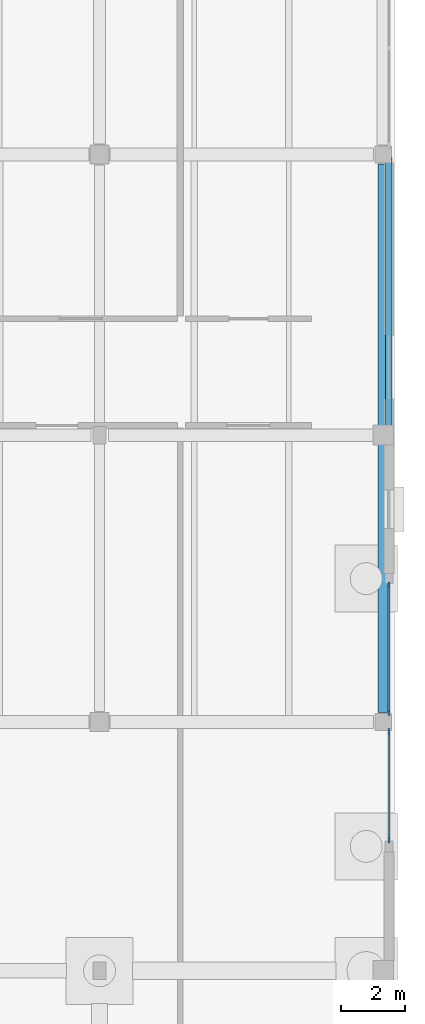
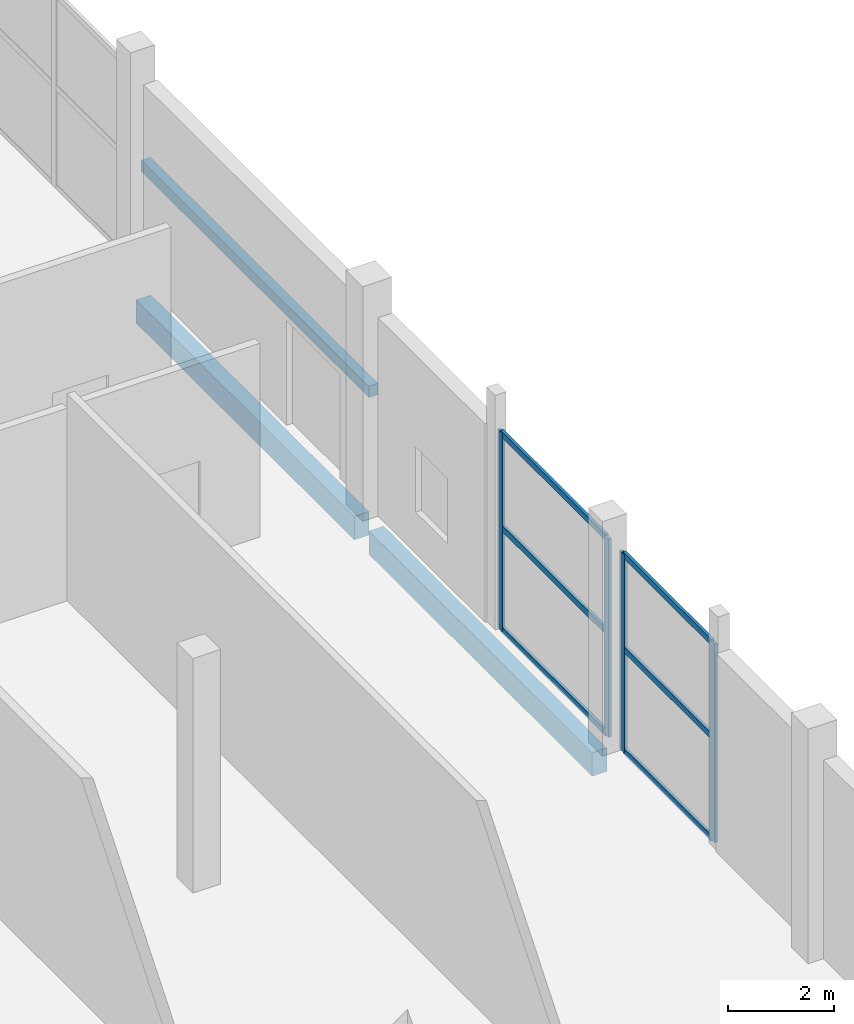
# One storey, part 41 of 88: 10 members, 3 beams, 2 elements without a shape of their own.
"""IFC4 building model written with IfcOpenShell, lengths in metres."""

from ifc_helpers import new_model, si_unit, direction, frame, origin, origin_2d, place, context, subcontext, project, spatial, rectangle, extrude, material, layer, layer_set, material_profile, profile_set, type_object, element, aggregate, save


model = new_model("IFC4")

# Units and contexts
model_context = context("Model", 3, precision=1e-05, world=origin(), true_north=direction((0.0, 1.0)))
body_context = subcontext(model_context, "Body", "Model", "MODEL_VIEW")
ifc_project = project(units=[si_unit("LENGTHUNIT", "METRE"), si_unit("AREAUNIT", "SQUARE_METRE"), si_unit("VOLUMEUNIT", "CUBIC_METRE"), si_unit("PLANEANGLEUNIT", "RADIAN"), si_unit("MASSUNIT", "GRAM", prefix="KILO")], contexts=[model_context])

# Site, building, storey
site_placement = place(None, origin())
site = spatial("IfcSite", under=ifc_project, at=site_placement, CompositionType="ELEMENT")
building_placement = place(site_placement, origin())
building = spatial("IfcBuilding", under=site, at=building_placement, Name="Birchvale Park Specialist Clinic", CompositionType="ELEMENT")
storey_placement = place(building_placement, origin())
storey = spatial("IfcBuildingStorey", under=building, at=storey_placement, Name="L00", CompositionType="ELEMENT", Elevation=0.0)

# Beams
ifc_material_1 = material(Name="Concrete C40/50", Category="concrete")
ifc_material_profile_1 = material_profile(ifc_material_1, rectangle(XDim=0.320068359375, YDim=0.5400390625, at=origin_2d()), Name="RCB-320x540")
ifc_profile_set_1 = profile_set([ifc_material_profile_1], Name="Concrete C40/50")
beam_type_1 = type_object("IfcBeamType", Name="BM-EXT-BG7", PredefinedType="BEAM", material=ifc_profile_set_1)
beam_1_placement = place(storey_placement, frame((164.699951171875, 17.10009765625, -0.570068359375), z_axis=(0.0, 1.0, 0.0), x_axis=(-1.0, 0.0, 0.0)))
element("IfcBeam", 1, at=beam_1_placement, inside=storey, type_object=beam_type_1, Name="V5 L00 Y girder 36", PredefinedType="BEAM", context=body_context, shape_type="SweptSolid", body=[
    extrude(rectangle(XDim=0.320068359375, YDim=0.5400390625, at=origin_2d()), origin(), (0.0, 0.0, 1.0), 8.4248046875),
])
beam_2_placement = place(storey_placement, frame((164.699951171875, 26.074951171875, -0.570068359375), z_axis=(0.0, 1.0, 0.0), x_axis=(-1.0, 0.0, 0.0)))
element("IfcBeam", 2, at=beam_2_placement, inside=storey, type_object=beam_type_1, Name="V5 L00 Y girder 37", PredefinedType="BEAM", context=body_context, shape_type="SweptSolid", body=[
    extrude(rectangle(XDim=0.320068359375, YDim=0.5400390625, at=origin_2d()), origin(), (0.0, 0.0, 1.0), 8.22509765625),
])

# Curtain wall, members
ifc_material_2 = material(Name="Thermally broken anodised aluminium", Category="aluminium")
ifc_layer = layer(ifc_material_2, 0.195068359375)
ifc_layer_set = layer_set([ifc_layer], Name="Thermally broken anodised aluminium")
curtain_wall_type = type_object("IfcCurtainWallType", Name="CW-U2", PredefinedType="USERDEFINED", material=ifc_layer_set)
curtain_wall_1_placement = place(storey_placement, origin())
curtain_wall_1 = element("IfcCurtainWall", 3, at=curtain_wall_1_placement, inside=storey, type_object=curtain_wall_type, Name="V5 L00 glazed curtain wall 46", ObjectType="UNITISED", PredefinedType="USERDEFINED")
ifc_material_profile_2 = material_profile(ifc_material_2, rectangle(XDim=0.06494140625, YDim=0.179931640625, at=origin_2d()), Name="CWM-65x180")
ifc_profile_set_2 = profile_set([ifc_material_profile_2], Name="Thermally broken anodised aluminium")
member_type_1 = type_object("IfcMemberType", Name="CWM2", PredefinedType="MULLION", material=ifc_profile_set_2)
member_1_placement = place(storey_placement, frame((164.875, 13.1025390625, 0.0), z_axis=(0.0, 0.0, 1.0), x_axis=(-1.0, 0.0, 0.0)))
member_1 = element("IfcMember", 4, at=member_1_placement, type_object=member_type_1, Name="CW mullion 1", PredefinedType="MULLION", context=body_context, shape_type="SweptSolid", body=[
    extrude(rectangle(XDim=0.06494140625, YDim=0.179931640625, at=origin_2d()), origin(), (0.0, 0.0, 1.0), 4.570068359375),
])
member_2_placement = place(storey_placement, frame((164.875, 16.50244140625, 0.0), z_axis=(0.0, 0.0, 1.0), x_axis=(-1.0, 0.0, 0.0)))
member_2 = element("IfcMember", 5, at=member_2_placement, type_object=member_type_1, Name="CW mullion 2", PredefinedType="MULLION", context=body_context, shape_type="SweptSolid", body=[
    extrude(rectangle(XDim=0.06494140625, YDim=0.179931640625, at=origin_2d()), origin(), (0.0, 0.0, 1.0), 4.570068359375),
])

curtain_wall_2_placement = place(storey_placement, origin())
curtain_wall_2 = element("IfcCurtainWall", 6, at=curtain_wall_2_placement, inside=storey, type_object=curtain_wall_type, Name="V5 L00 glazed curtain wall 47", ObjectType="UNITISED", PredefinedType="USERDEFINED")
member_3_placement = place(storey_placement, frame((164.875, 17.097412109375, 0.0), z_axis=(0.0, 0.0, 1.0), x_axis=(-1.0, 0.0, 0.0)))
member_3 = element("IfcMember", 7, at=member_3_placement, type_object=member_type_1, Name="CW mullion 1", PredefinedType="MULLION", context=body_context, shape_type="SweptSolid", body=[
    extrude(rectangle(XDim=0.06494140625, YDim=0.179931640625, at=origin_2d()), origin(), (0.0, 0.0, 1.0), 4.570068359375),
])
member_4_placement = place(storey_placement, frame((164.875, 21.107421875, 0.0), z_axis=(0.0, 0.0, 1.0), x_axis=(-1.0, 0.0, 0.0)))
member_4 = element("IfcMember", 8, at=member_4_placement, type_object=member_type_1, Name="CW mullion 2", PredefinedType="MULLION", context=body_context, shape_type="SweptSolid", body=[
    extrude(rectangle(XDim=0.06494140625, YDim=0.179931640625, at=origin_2d()), origin(), (0.0, 0.0, 1.0), 4.570068359375),
])

# Member
ifc_material_profile_3 = material_profile(ifc_material_2, rectangle(XDim=0.06494140625, YDim=0.139892578125, at=origin_2d()), Name="CWT-65x140")
ifc_profile_set_3 = profile_set([ifc_material_profile_3], Name="Thermally broken anodised aluminium")
member_type_2 = type_object("IfcMemberType", Name="CWT2", PredefinedType="USERDEFINED", material=ifc_profile_set_3)
member_5_placement = place(storey_placement, frame((164.875, 13.135009765625, 0.032470703125), z_axis=(0.0, 1.0, 0.0), x_axis=(-1.0, 0.0, 0.0)))
member_5 = element("IfcMember", 9, at=member_5_placement, type_object=member_type_2, Name="CW transom 1.1", ObjectType="TRANSOM", PredefinedType="USERDEFINED", context=body_context, shape_type="SweptSolid", body=[
    extrude(rectangle(XDim=0.06494140625, YDim=0.139892578125, at=origin_2d()), origin(), (0.0, 0.0, 1.0), 3.3349609375),
])

member_6_placement = place(storey_placement, frame((164.875, 13.135009765625, 2.37646484375), z_axis=(0.0, 1.0, 0.0), x_axis=(-1.0, 0.0, 0.0)))
member_6 = element("IfcMember", 10, at=member_6_placement, type_object=member_type_2, Name="CW transom 1.2", ObjectType="TRANSOM", PredefinedType="USERDEFINED", context=body_context, shape_type="SweptSolid", body=[
    extrude(rectangle(XDim=0.06494140625, YDim=0.139892578125, at=origin_2d()), origin(), (0.0, 0.0, 1.0), 3.3349609375),
])

member_7_placement = place(storey_placement, frame((164.875, 13.135009765625, 4.53759765625), z_axis=(0.0, 1.0, 0.0), x_axis=(-1.0, 0.0, 0.0)))
member_7 = element("IfcMember", 11, at=member_7_placement, type_object=member_type_2, Name="CW transom 1.3", ObjectType="TRANSOM", PredefinedType="USERDEFINED", context=body_context, shape_type="SweptSolid", body=[
    extrude(rectangle(XDim=0.06494140625, YDim=0.139892578125, at=origin_2d()), origin(), (0.0, 0.0, 1.0), 3.3349609375),
])

aggregate(curtain_wall_1, [member_1, member_2, member_5, member_6, member_7])

member_8_placement = place(storey_placement, frame((164.875, 17.1298828125, 0.032470703125), z_axis=(0.0, 1.0, 0.0), x_axis=(-1.0, 0.0, 0.0)))
member_8 = element("IfcMember", 12, at=member_8_placement, type_object=member_type_2, Name="CW transom 1.1", ObjectType="TRANSOM", PredefinedType="USERDEFINED", context=body_context, shape_type="SweptSolid", body=[
    extrude(rectangle(XDim=0.06494140625, YDim=0.139892578125, at=origin_2d()), origin(), (0.0, 0.0, 1.0), 3.945068359375),
])

member_9_placement = place(storey_placement, frame((164.875, 17.1298828125, 2.37646484375), z_axis=(0.0, 1.0, 0.0), x_axis=(-1.0, 0.0, 0.0)))
member_9 = element("IfcMember", 13, at=member_9_placement, type_object=member_type_2, Name="CW transom 1.2", ObjectType="TRANSOM", PredefinedType="USERDEFINED", context=body_context, shape_type="SweptSolid", body=[
    extrude(rectangle(XDim=0.06494140625, YDim=0.139892578125, at=origin_2d()), origin(), (0.0, 0.0, 1.0), 3.945068359375),
])

member_10_placement = place(storey_placement, frame((164.875, 17.1298828125, 4.53759765625), z_axis=(0.0, 1.0, 0.0), x_axis=(-1.0, 0.0, 0.0)))
member_10 = element("IfcMember", 14, at=member_10_placement, type_object=member_type_2, Name="CW transom 1.3", ObjectType="TRANSOM", PredefinedType="USERDEFINED", context=body_context, shape_type="SweptSolid", body=[
    extrude(rectangle(XDim=0.06494140625, YDim=0.139892578125, at=origin_2d()), origin(), (0.0, 0.0, 1.0), 3.945068359375),
])

aggregate(curtain_wall_2, [member_3, member_4, member_8, member_9, member_10])

# Beam
ifc_material_profile_4 = material_profile(ifc_material_1, rectangle(XDim=0.199951171875, YDim=0.260009765625, at=origin_2d()), Name="LNT-200x260")
ifc_profile_set_4 = profile_set([ifc_material_profile_4], Name="Concrete C40/50")
beam_type_2 = type_object("IfcBeamType", Name="LNT-EXT-LN3", PredefinedType="LINTEL", material=ifc_profile_set_4)
beam_3_placement = place(storey_placement, frame((164.875, 25.929931640625, 2.570068359375), z_axis=(0.0, 1.0, 0.0), x_axis=(-1.0, 0.0, 0.0)))
element("IfcBeam", 15, at=beam_3_placement, inside=storey, type_object=beam_type_2, Name="V5 L00 exit opening lintel 22", PredefinedType="LINTEL", context=body_context, shape_type="SweptSolid", body=[
    extrude(rectangle(XDim=0.199951171875, YDim=0.260009765625, at=origin_2d()), origin(), (0.0, 0.0, 1.0), 8.590087890625),
])

save(model, "model.ifc")
